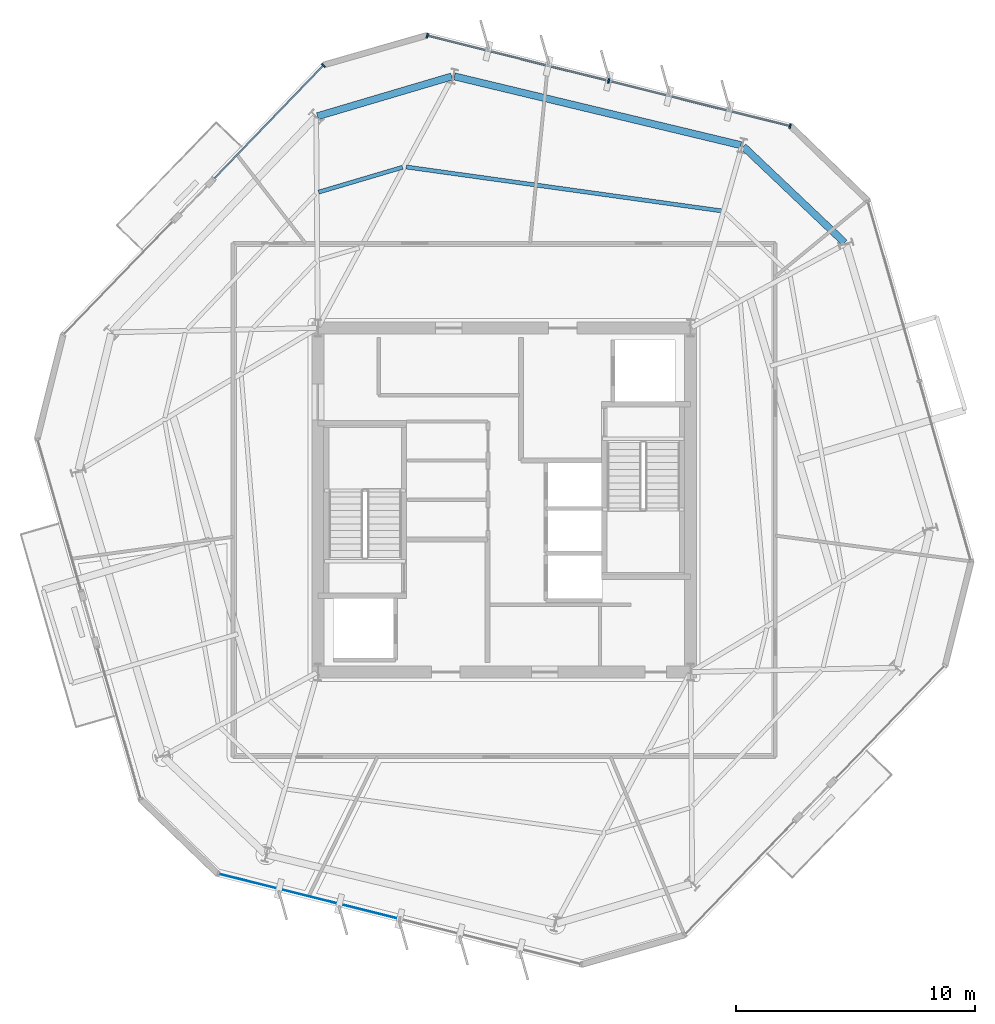
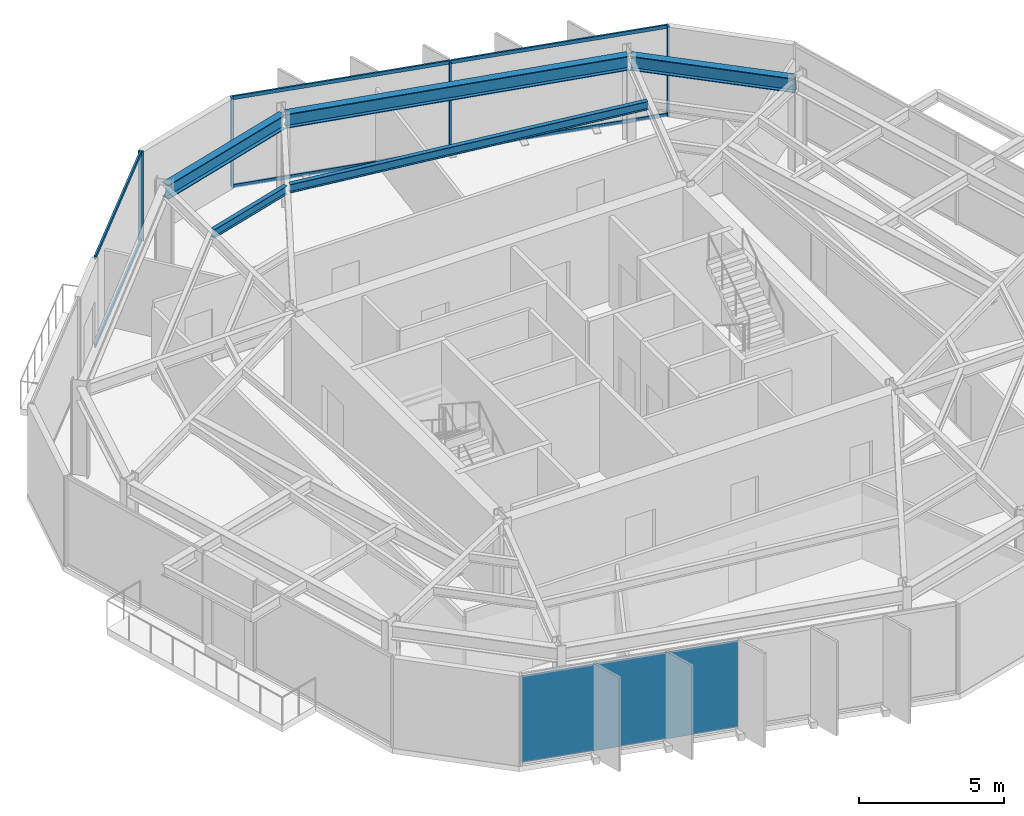
# One storey, part 5 of 11: 10 members, 5 beams, 1 plate, 3 elements without a shape of their own.
"""IFC4 building model written with IfcOpenShell, lengths in metres."""

from ifc_helpers import new_model, si_unit, direction, frame, origin, origin_2d, place, context, subcontext, project, spatial, rectangle, i_section, extrude, material, layer, layer_set, material_profile, profile_set, type_object, element, aggregate, save


model = new_model("IFC4")

# Units and contexts
model_context = context("Model", 3, precision=1e-05, world=origin(), true_north=direction((0.0, 1.0)))
body_context = subcontext(model_context, "Body", "Model", "MODEL_VIEW")
ifc_project = project(units=[si_unit("LENGTHUNIT", "METRE"), si_unit("AREAUNIT", "SQUARE_METRE"), si_unit("VOLUMEUNIT", "CUBIC_METRE"), si_unit("PLANEANGLEUNIT", "RADIAN"), si_unit("MASSUNIT", "GRAM", prefix="KILO")], contexts=[model_context])

# Site, building, storey
site_placement = place(None, origin())
site = spatial("IfcSite", under=ifc_project, at=site_placement, CompositionType="ELEMENT")
building_placement = place(site_placement, origin())
building = spatial("IfcBuilding", under=site, at=building_placement, Name="Kranzbogen Civic Tower", CompositionType="ELEMENT")
storey_placement = place(building_placement, frame((0.0, 0.0, 208.800048828125)))
storey = spatial("IfcBuildingStorey", under=building, at=storey_placement, Name="L50", CompositionType="ELEMENT", Elevation=208.800048828125)

# Curtain wall, members
ifc_material_1 = material(Name="Pale Anodised Aluminium", Category="aluminium")
ifc_layer_1 = layer(ifc_material_1, 0.219970703125, Name="Pale Anodised Aluminium")
ifc_layer_set_1 = layer_set([ifc_layer_1], Name="Pale Anodised Aluminium")
curtain_wall_type = type_object("IfcCurtainWallType", Name="Zone 3 Stick Curtain Wall System CW-04", PredefinedType="USERDEFINED", material=ifc_layer_set_1)
curtain_wall_1_placement = place(storey_placement, origin())
curtain_wall_1 = element("IfcCurtainWall", 1, at=curtain_wall_1_placement, inside=storey, type_object=curtain_wall_type, Name="L50 curtain wall CW-L50-F1", ObjectType="STICK CURTAIN WALL", PredefinedType="USERDEFINED")
ifc_material_profile_1 = material_profile(ifc_material_1, rectangle(XDim=0.070068359375, YDim=0.199951171875, at=origin_2d()), Name="ALU-M 70x200")
ifc_profile_set_1 = profile_set([ifc_material_profile_1], Name="Pale Anodised Aluminium")
member_type_1 = type_object("IfcMemberType", Name="Curtain Wall Mullion ALU-M 70x200", PredefinedType="MULLION", material=ifc_profile_set_1)
member_1_placement = place(storey_placement, frame((36.9638671875, 40.642333984375, 0.0), z_axis=(0.0, 0.0, 1.0), x_axis=(-0.970299572817, 0.241906467442, 0.0)))
member_1 = element("IfcMember", 2, at=member_1_placement, type_object=member_type_1, Name="CW-04 mullion 1", PredefinedType="MULLION", context=body_context, shape_type="SweptSolid", body=[
    extrude(rectangle(XDim=0.070068359375, YDim=0.199951171875, at=origin_2d()), origin(), (0.0, 0.0, 1.0), 3.780029296875),
])
member_2_placement = place(storey_placement, frame((29.3720703125, 42.534912109375, 0.0), z_axis=(0.0, 0.0, 1.0), x_axis=(-0.970299572817, 0.241906467442, 0.0)))
member_2 = element("IfcMember", 3, at=member_2_placement, type_object=member_type_1, Name="CW-04 mullion 2", PredefinedType="MULLION", context=body_context, shape_type="SweptSolid", body=[
    extrude(rectangle(XDim=0.070068359375, YDim=0.199951171875, at=origin_2d()), origin(), (0.0, 0.0, 1.0), 3.780029296875),
])
member_3_placement = place(storey_placement, frame((21.780029296875, 44.427734375, 0.0), z_axis=(0.0, 0.0, 1.0), x_axis=(-0.970299572817, 0.241906467442, 0.0)))
member_3 = element("IfcMember", 4, at=member_3_placement, type_object=member_type_1, Name="CW-04 mullion 3", PredefinedType="MULLION", context=body_context, shape_type="SweptSolid", body=[
    extrude(rectangle(XDim=0.070068359375, YDim=0.199951171875, at=origin_2d()), origin(), (0.0, 0.0, 1.0), 3.780029296875),
])

# Curtain wall, member
curtain_wall_2_placement = place(storey_placement, origin())
curtain_wall_2 = element("IfcCurtainWall", 5, at=curtain_wall_2_placement, inside=storey, type_object=curtain_wall_type, Name="L50 curtain wall CW-L50-F2-S1", ObjectType="STICK CURTAIN WALL", PredefinedType="USERDEFINED")
member_4_placement = place(storey_placement, frame((17.436279296875, 43.182373046875, 0.0), z_axis=(0.0, 0.0, 1.0), x_axis=(-0.694677640583, -0.719321190897, 0.0)))
member_4 = element("IfcMember", 6, at=member_4_placement, type_object=member_type_1, Name="CW-04 mullion 1", PredefinedType="MULLION", context=body_context, shape_type="SweptSolid", body=[
    extrude(rectangle(XDim=0.070068359375, YDim=0.199951171875, at=origin_2d()), origin(), (0.0, 0.0, 1.0), 3.780029296875),
])

# Member
ifc_material_profile_2 = material_profile(ifc_material_1, rectangle(XDim=0.070068359375, YDim=0.14990234375, at=origin_2d()), Name="ALU-T 70x150")
ifc_profile_set_2 = profile_set([ifc_material_profile_2], Name="Pale Anodised Aluminium")
member_type_2 = type_object("IfcMemberType", Name="Curtain Wall Transom ALU-T 70x150", PredefinedType="USERDEFINED", material=ifc_profile_set_2)
member_5_placement = place(storey_placement, frame((36.934814453125, 40.6494140625, 0.030029296875), z_axis=(-0.970293980732, 0.241928896486, 0.0), x_axis=(-0.241928896486, -0.970293980732, 0.0)))
member_5 = element("IfcMember", 7, at=member_5_placement, type_object=member_type_2, Name="CW-04 transom 1.1", ObjectType="TRANSOM", PredefinedType="USERDEFINED", context=body_context, shape_type="SweptSolid", body=[
    extrude(rectangle(XDim=0.070068359375, YDim=0.14990234375, at=origin_2d()), origin(), (0.0, 0.0, 1.0), 7.764404296875),
])

member_6_placement = place(storey_placement, frame((36.934814453125, 40.6494140625, 3.75), z_axis=(-0.970293980732, 0.241928896486, 0.0), x_axis=(-0.241928896486, -0.970293980732, 0.0)))
member_6 = element("IfcMember", 8, at=member_6_placement, type_object=member_type_2, Name="CW-04 transom 1.2", ObjectType="TRANSOM", PredefinedType="USERDEFINED", context=body_context, shape_type="SweptSolid", body=[
    extrude(rectangle(XDim=0.070068359375, YDim=0.14990234375, at=origin_2d()), origin(), (0.0, 0.0, 1.0), 7.764404296875),
])

member_7_placement = place(storey_placement, frame((29.3427734375, 42.542236328125, 0.030029296875), z_axis=(-0.970299521488, 0.241906673326, 0.0), x_axis=(-0.241906673326, -0.970299521488, 0.0)))
member_7 = element("IfcMember", 9, at=member_7_placement, type_object=member_type_2, Name="CW-04 transom 2.1", ObjectType="TRANSOM", PredefinedType="USERDEFINED", context=body_context, shape_type="SweptSolid", body=[
    extrude(rectangle(XDim=0.070068359375, YDim=0.14990234375, at=origin_2d()), origin(), (0.0, 0.0, 1.0), 7.76416015625),
])

member_8_placement = place(storey_placement, frame((29.3427734375, 42.542236328125, 3.75), z_axis=(-0.970299521488, 0.241906673326, 0.0), x_axis=(-0.241906673326, -0.970299521488, 0.0)))
member_8 = element("IfcMember", 10, at=member_8_placement, type_object=member_type_2, Name="CW-04 transom 2.2", ObjectType="TRANSOM", PredefinedType="USERDEFINED", context=body_context, shape_type="SweptSolid", body=[
    extrude(rectangle(XDim=0.070068359375, YDim=0.14990234375, at=origin_2d()), origin(), (0.0, 0.0, 1.0), 7.76416015625),
])

aggregate(curtain_wall_1, [member_1, member_2, member_3, member_5, member_6, member_7, member_8])

member_9_placement = place(storey_placement, frame((17.415283203125, 43.160888671875, 0.030029296875), z_axis=(-0.694670517161, -0.719328070207, 0.0), x_axis=(0.719328070207, -0.694670517161, 0.0)))
member_9 = element("IfcMember", 11, at=member_9_placement, type_object=member_type_2, Name="CW-04 transom 1.1", ObjectType="TRANSOM", PredefinedType="USERDEFINED", context=body_context, shape_type="SweptSolid", body=[
    extrude(rectangle(XDim=0.070068359375, YDim=0.14990234375, at=origin_2d()), origin(), (0.0, 0.0, 1.0), 6.534912109375),
])

member_10_placement = place(storey_placement, frame((17.415283203125, 43.160888671875, 3.75), z_axis=(-0.694670517161, -0.719328070207, 0.0), x_axis=(0.719328070207, -0.694670517161, 0.0)))
member_10 = element("IfcMember", 12, at=member_10_placement, type_object=member_type_2, Name="CW-04 transom 1.2", ObjectType="TRANSOM", PredefinedType="USERDEFINED", context=body_context, shape_type="SweptSolid", body=[
    extrude(rectangle(XDim=0.070068359375, YDim=0.14990234375, at=origin_2d()), origin(), (0.0, 0.0, 1.0), 6.534912109375),
])

aggregate(curtain_wall_2, [member_4, member_9, member_10])

# Beams
ifc_material_2 = material(Name="Steel S355", Category="steel")
ifc_material_profile_3 = material_profile(ifc_material_2, i_section(OverallWidth=0.300048828125, OverallDepth=0.60009765625, WebThickness=0.015380859375, FlangeThickness=0.030029296875, at=origin_2d()), Name="HEB 600")
ifc_profile_set_3 = profile_set([ifc_material_profile_3], Name="Steel S355")
beam_type_1 = type_object("IfcBeamType", Name="Perimeter Tube Spandrel Beam HEB 600", PredefinedType="SPANDREL", material=ifc_profile_set_3)
beam_1_placement = place(storey_placement, frame((39.2490234375, 35.764892578125, 3.47998046875), z_axis=(-0.725245206788, 0.688490660816, 0.0), x_axis=(-0.688490660816, -0.725245206788, 0.0)))
element("IfcBeam", 13, at=beam_1_placement, inside=storey, type_object=beam_type_1, Name="L50 perimeter spandrel beam 07", PredefinedType="SPANDREL", context=body_context, shape_type="SweptSolid", body=[
    extrude(i_section(OverallWidth=0.300048828125, OverallDepth=0.60009765625, WebThickness=0.015380859375, FlangeThickness=0.030029296875, at=origin_2d()), origin(), (0.0, 0.0, 1.0), 5.85205078125),
])
beam_2_placement = place(storey_placement, frame((34.903076171875, 39.84912109375, 3.47998046875), z_axis=(-0.972377592092, 0.233413406637, 0.0), x_axis=(-0.233413406637, -0.972377592092, 0.0)))
element("IfcBeam", 14, at=beam_2_placement, inside=storey, type_object=beam_type_1, Name="L50 perimeter spandrel beam 08", PredefinedType="SPANDREL", context=body_context, shape_type="SweptSolid", body=[
    extrude(i_section(OverallWidth=0.300048828125, OverallDepth=0.60009765625, WebThickness=0.015380859375, FlangeThickness=0.030029296875, at=origin_2d()), origin(), (0.0, 0.0, 1.0), 12.32568359375),
])
beam_3_placement = place(storey_placement, frame((22.802001953125, 42.722900390625, 3.47998046875), z_axis=(-0.9588296723, -0.283981794341, 0.0), x_axis=(0.283981794341, -0.9588296723, 0.0)))
element("IfcBeam", 15, at=beam_3_placement, inside=storey, type_object=beam_type_1, Name="L50 perimeter spandrel beam 09", PredefinedType="SPANDREL", context=body_context, shape_type="SweptSolid", body=[
    extrude(i_section(OverallWidth=0.300048828125, OverallDepth=0.60009765625, WebThickness=0.015380859375, FlangeThickness=0.030029296875, at=origin_2d()), origin(), (0.0, 0.0, 1.0), 5.85205078125),
])
ifc_material_profile_4 = material_profile(ifc_material_2, i_section(OverallWidth=0.169921875, OverallDepth=0.360107421875, WebThickness=0.008056640625, FlangeThickness=0.0126953125, at=origin_2d()), Name="IPE 360")
ifc_profile_set_4 = profile_set([ifc_material_profile_4], Name="Steel S355")
beam_type_2 = type_object("IfcBeamType", Name="Secondary Composite Floor Joist IPE 360", PredefinedType="JOIST", material=ifc_profile_set_4)
beam_4_placement = place(storey_placement, frame((34.10400390625, 37.096923828125, 3.599853515625), z_axis=(-0.990445837232, 0.137902296968, 0.0), x_axis=(-0.137902296968, -0.990445837232, 0.0)))
element("IfcBeam", 16, at=beam_4_placement, inside=storey, type_object=beam_type_2, Name="L50 secondary floor joist 1.08", PredefinedType="JOIST", context=body_context, shape_type="SweptSolid", body=[
    extrude(i_section(OverallWidth=0.169921875, OverallDepth=0.360107421875, WebThickness=0.008056640625, FlangeThickness=0.0126953125, at=origin_2d()), origin(), (0.0, 0.0, 1.0), 13.329345703125),
])
beam_5_placement = place(storey_placement, frame((20.74609375, 38.923095703125, 3.599853515625), z_axis=(-0.958843823165, -0.283934011309, 0.0), x_axis=(0.283934011309, -0.958843823165, 0.0)))
element("IfcBeam", 17, at=beam_5_placement, inside=storey, type_object=beam_type_2, Name="L50 secondary floor joist 1.09", PredefinedType="JOIST", context=body_context, shape_type="SweptSolid", body=[
    extrude(i_section(OverallWidth=0.169921875, OverallDepth=0.360107421875, WebThickness=0.008056640625, FlangeThickness=0.0126953125, at=origin_2d()), origin(), (0.0, 0.0, 1.0), 3.662841796875),
])

# Curtain wall, plate
curtain_wall_3_placement = place(storey_placement, origin())
curtain_wall_3 = element("IfcCurtainWall", 18, at=curtain_wall_3_placement, inside=storey, type_object=curtain_wall_type, Name="L50 curtain wall CW-L50-F4", ObjectType="STICK CURTAIN WALL", PredefinedType="USERDEFINED")
ifc_material_3 = material(Name="Low-E Triple Glazing Glass", Category="glass")
ifc_layer_2 = layer(ifc_material_3, 0.030029296875, Name="Low-E Triple Glazing Glass")
ifc_layer_set_2 = layer_set([ifc_layer_2], Name="Low-E Triple Glazing Glass")
plate_type = type_object("IfcPlateType", Name="Insulated Low-E Glazing Panel 30 mm", PredefinedType="CURTAIN_PANEL", material=ifc_layer_set_2)
plate_placement = place(storey_placement, frame((16.83203125, 8.411376953125, 0.06005859375), z_axis=(0.0, 0.0, 1.0), x_axis=(0.970299572817, -0.241906467442, 0.0)))
plate = element("IfcPlate", 19, at=plate_placement, type_object=plate_type, Name="CW-04 panel 1.1", PredefinedType="CURTAIN_PANEL", context=body_context, shape_type="SweptSolid", body=[
    extrude(rectangle(XDim=7.76416015625, YDim=0.028076171875, at=origin_2d()), origin(), (0.0, 0.0, 1.0), 3.659912109375),
])
aggregate(curtain_wall_3, [plate])

save(model, "model.ifc")
